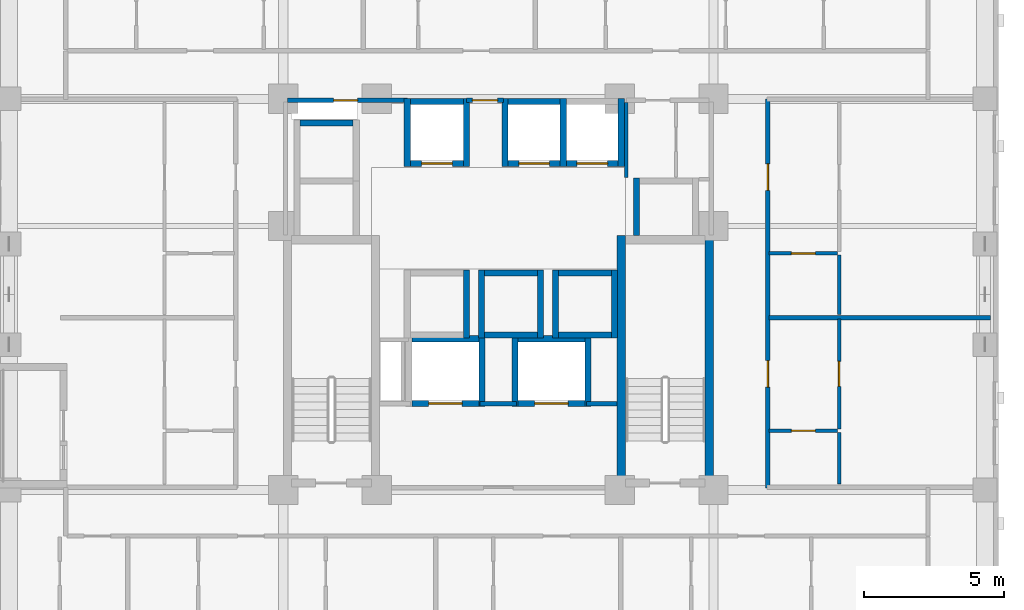
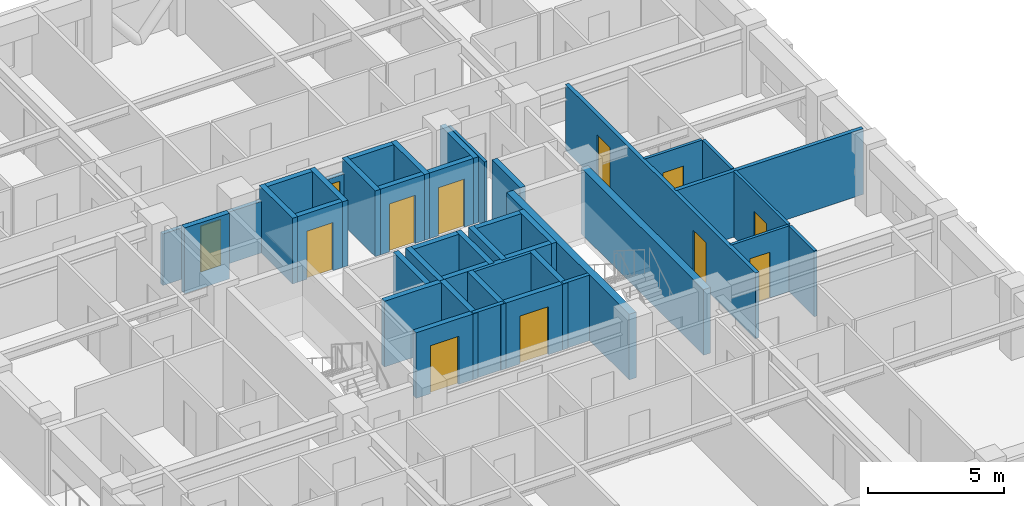
# One storey, part 5 of 12: 42 walls, 12 doors, 12 openings.
"""IFC4 building model written with IfcOpenShell, lengths in metres."""

from ifc_helpers import new_model, si_unit, derived_unit, direction, frame, frame_2d, origin, place, context, subcontext, project, spatial, rectangle, extrude, material, layer, layer_set, type_object, element, fill, save


model = new_model("IFC4")

# Units and contexts
model_context = context("Model", 3, precision=1e-05, world=origin(), true_north=direction((0.0, 1.0)))
body_context = subcontext(model_context, "Body", "Model", "MODEL_VIEW")
ifc_project = project(units=[si_unit("LENGTHUNIT", "METRE"), si_unit("AREAUNIT", "SQUARE_METRE"), si_unit("VOLUMEUNIT", "CUBIC_METRE"), si_unit("PLANEANGLEUNIT", "RADIAN"), si_unit("MASSUNIT", "GRAM", prefix="KILO"), derived_unit("THERMALTRANSMITTANCEUNIT", [(si_unit("MASSUNIT", "GRAM", prefix="KILO"), 1), (si_unit("TIMEUNIT", "SECOND"), -3), (si_unit("THERMODYNAMICTEMPERATUREUNIT", "KELVIN"), -1)])], contexts=[model_context])

# Site, building, storey
site_placement = place(None, origin())
site = spatial("IfcSite", under=ifc_project, at=site_placement, CompositionType="ELEMENT")
building_placement = place(site_placement, origin())
building = spatial("IfcBuilding", under=site, at=building_placement, Name="Korrvale Station Residences", CompositionType="ELEMENT")
storey_placement = place(building_placement, frame((0.0, 0.0, 91.10009765625)))
storey = spatial("IfcBuildingStorey", under=building, at=storey_placement, Name="L25", CompositionType="ELEMENT", Elevation=91.10009765625)

# Walls
ifc_material_1 = material(Name="Concrete C60/75", Category="concrete")
ifc_layer_1 = layer(ifc_material_1, 0.300048828125, Name="Concrete C60/75")
ifc_layer_set_1 = layer_set([ifc_layer_1], Name="Concrete C60/75")
wall_type_1 = type_object("IfcWallType", Name="WAL-CORE-300-C60", PredefinedType="SHEAR", material=ifc_layer_set_1)
for number, where, z_axis, x_axis, name in (
    (1, (29.89990234375, 15.10009765625, 0.0), (0.0, 0.0, 1.0), (0.0, 1.0, 0.0), "L25 ST-2 Core Shear Wall West"),
    (2, (33.050048828125, 15.10009765625, 0.0), (0.0, 0.0, 1.0), (0.0, 1.0, 0.0), "L25 ST-2 Core Shear Wall East"),
):
    element("IfcWall", number, at=place(storey_placement, frame(where, z_axis=z_axis, x_axis=x_axis)), inside=storey, type_object=wall_type_1, Name=name, PredefinedType="SHEAR", context=body_context, shape_type="SweptSolid", body=[
        extrude(rectangle(XDim=9.0, YDim=0.300048828125, at=frame_2d((4.5, 0.0))), origin(), (0.0, 0.0, 1.0), 2.93994140625),
    ])
ifc_material_2 = material(Name="Acoustic steel-stud gypsum board partition", Category="steel")
ifc_layer_2 = layer(ifc_material_2, 0.1201171875, Name="Acoustic steel-stud gypsum board partition")
ifc_layer_set_2 = layer_set([ifc_layer_2], Name="Acoustic steel-stud gypsum board partition")
wall_type_2 = type_object("IfcWallType", Name="WAL-PART-125", PredefinedType="PARTITIONING", material=ifc_layer_set_2)
wall_1_placement = place(storey_placement, frame((30.080078125, 26.179931640625, 0.0), z_axis=(0.0, 0.0, 1.0), x_axis=(0.0, 1.0, 0.0)))
element("IfcWall", 3, at=wall_1_placement, inside=storey, type_object=wall_type_2, Name="L25 Core Partition CW-CS-W", PredefinedType="PARTITIONING", context=body_context, shape_type="SweptSolid", body=[
    extrude(rectangle(XDim=2.68017578125, YDim=0.1201171875, at=frame_2d((1.340087890625, 0.0))), origin(), (0.0, 0.0, 1.0), 2.93994140625),
])

# Wall, opening, door
wall_2_placement = place(storey_placement, frame((35.18994140625, 17.1201171875, 0.0), z_axis=(0.0, 0.0, 1.0), x_axis=(1.0, 0.0, 0.0)))
wall_2 = element("IfcWall", 4, at=wall_2_placement, inside=storey, type_object=wall_type_2, Name="L25 Suite Partition U10-H01", PredefinedType="PARTITIONING", context=body_context, shape_type="SweptSolid", body=[
    extrude(rectangle(XDim=2.449951171875, YDim=0.1201171875, at=frame_2d((1.22509765625, 0.0))), origin(), (0.0, 0.0, 1.0), 2.93994140625),
])
opening_1_placement = place(wall_2_placement, frame((0.794921875, 0.0, 0.0)))
opening_1 = element("IfcOpeningElement", 5, at=opening_1_placement, cuts=wall_2, Name="Opening DB-860", PredefinedType="OPENING", context=body_context, shape_type="SweptSolid", body=[
    extrude(rectangle(XDim=0.860107421875, YDim=2.050048828125, at=frame_2d((0.43017578125, 1.02490234375))), frame((0.0, 0.070068359375, 0.0), z_axis=(0.0, -1.0, 0.0), x_axis=(1.0, 0.0, 0.0)), (0.0, 0.0, 1.0), 0.14013671875),
])
ifc_material_3 = material(Name="Moisture-resistant solid-core bathroom door", Category="timber")
door_type_1 = type_object("IfcDoorType", Name="DR-BATH-860", OperationType="NOTDEFINED", PredefinedType="DOOR", material=ifc_material_3)
door_1_placement = place(opening_1_placement, origin())
door_1 = element("IfcDoor", 6, at=door_1_placement, inside=storey, type_object=door_type_1, Name="L25 Apartment 1BR L25-U10 Bathroom Door", OperationType="SINGLE_SWING_LEFT", OverallHeight=2.050048828125, OverallWidth=0.860107421875, PredefinedType="DOOR", context=body_context, shape_type="SweptSolid", body=[
    extrude(rectangle(XDim=0.860107421875, YDim=2.050048828125, at=frame_2d((0.43017578125, 1.02490234375))), frame((0.0, 0.02490234375, 0.0), z_axis=(0.0, -1.0, 0.0), x_axis=(1.0, 0.0, 0.0)), (0.0, 0.0, 1.0), 0.050048828125),
])
fill(opening_1, door_1)

# Wall
wall_3_placement = place(storey_placement, frame((37.699951171875, 15.2099609375, 0.0), z_axis=(0.0, 0.0, 1.0), x_axis=(0.0, 1.0, 0.0)))
element("IfcWall", 7, at=wall_3_placement, inside=storey, type_object=wall_type_2, Name="L25 Suite Partition U10-V02", PredefinedType="PARTITIONING", context=body_context, shape_type="SweptSolid", body=[
    extrude(rectangle(XDim=1.85009765625, YDim=0.1201171875, at=frame_2d((0.925048828125, 0.0))), origin(), (0.0, 0.0, 1.0), 2.93994140625),
])

# Wall, opening, door
wall_4_placement = place(storey_placement, frame((37.699951171875, 17.179931640625, 0.0), z_axis=(0.0, 0.0, 1.0), x_axis=(0.0, 1.0, 0.0)))
wall_4 = element("IfcWall", 8, at=wall_4_placement, inside=storey, type_object=wall_type_2, Name="L25 Suite Partition U10-V12", PredefinedType="PARTITIONING", context=body_context, shape_type="SweptSolid", body=[
    extrude(rectangle(XDim=3.946044921875, YDim=0.1201171875, at=frame_2d((1.97314453125, 0.0))), origin(), (0.0, 0.0, 1.0), 2.93994140625),
])
opening_2_placement = place(wall_4_placement, frame((1.52294921875, 0.0, 0.0)))
opening_2 = element("IfcOpeningElement", 9, at=opening_2_placement, cuts=wall_4, Name="Opening DI-900", PredefinedType="OPENING", context=body_context, shape_type="SweptSolid", body=[
    extrude(rectangle(XDim=0.89990234375, YDim=2.050048828125, at=frame_2d((0.449951171875, 1.02490234375))), frame((0.0, 0.070068359375, 0.0), z_axis=(0.0, -1.0, 0.0), x_axis=(1.0, 0.0, 0.0)), (0.0, 0.0, 1.0), 0.14013671875),
])
ifc_material_4 = material(Name="Painted solid-core timber interior room door", Category="wood")
door_type_2 = type_object("IfcDoorType", Name="DR-INT-900", OperationType="NOTDEFINED", PredefinedType="DOOR", material=ifc_material_4)
door_2_placement = place(opening_2_placement, origin())
door_2 = element("IfcDoor", 10, at=door_2_placement, inside=storey, type_object=door_type_2, Name="L25 Apartment 1BR L25-U10 Kitchen Door", OperationType="SINGLE_SWING_RIGHT", OverallHeight=2.050048828125, OverallWidth=0.89990234375, PredefinedType="DOOR", context=body_context, shape_type="SweptSolid", body=[
    extrude(rectangle(XDim=0.89990234375, YDim=2.050048828125, at=frame_2d((0.449951171875, 1.02490234375))), frame((0.0, 0.02490234375, 0.0), z_axis=(0.0, -1.0, 0.0), x_axis=(1.0, 0.0, 0.0)), (0.0, 0.0, 1.0), 0.050048828125),
])
fill(opening_2, door_2)

wall_5_placement = place(storey_placement, frame((35.18994140625, 23.467041015625, 0.0), z_axis=(0.0, 0.0, 1.0), x_axis=(1.0, 0.0, 0.0)))
wall_5 = element("IfcWall", 11, at=wall_5_placement, inside=storey, type_object=wall_type_2, Name="L25 Suite Partition U11-H01", PredefinedType="PARTITIONING", context=body_context, shape_type="SweptSolid", body=[
    extrude(rectangle(XDim=2.449951171875, YDim=0.1201171875, at=frame_2d((1.22509765625, 0.0))), origin(), (0.0, 0.0, 1.0), 2.93994140625),
])
opening_3_placement = place(wall_5_placement, frame((0.794921875, 0.0, 0.0)))
opening_3 = element("IfcOpeningElement", 12, at=opening_3_placement, cuts=wall_5, Name="Opening DB-860", PredefinedType="OPENING", context=body_context, shape_type="SweptSolid", body=[
    extrude(rectangle(XDim=0.860107421875, YDim=2.050048828125, at=frame_2d((0.43017578125, 1.02490234375))), frame((0.0, 0.070068359375, 0.0), z_axis=(0.0, -1.0, 0.0), x_axis=(1.0, 0.0, 0.0)), (0.0, 0.0, 1.0), 0.14013671875),
])
door_3_placement = place(opening_3_placement, origin())
door_3 = element("IfcDoor", 13, at=door_3_placement, inside=storey, type_object=door_type_1, Name="L25 Apartment 1BR L25-U11 Bathroom Door", OperationType="SINGLE_SWING_LEFT", OverallHeight=2.050048828125, OverallWidth=0.860107421875, PredefinedType="DOOR", context=body_context, shape_type="SweptSolid", body=[
    extrude(rectangle(XDim=0.860107421875, YDim=2.050048828125, at=frame_2d((0.43017578125, 1.02490234375))), frame((0.0, 0.02490234375, 0.0), z_axis=(0.0, -1.0, 0.0), x_axis=(1.0, 0.0, 0.0)), (0.0, 0.0, 1.0), 0.050048828125),
])
fill(opening_3, door_3)

# Walls
wall_6_placement = place(storey_placement, frame((37.699951171875, 21.285888671875, 0.0), z_axis=(0.0, 0.0, 1.0), x_axis=(0.0, 1.0, 0.0)))
element("IfcWall", 14, at=wall_6_placement, inside=storey, type_object=wall_type_2, Name="L25 Suite Partition U11-V02", PredefinedType="PARTITIONING", context=body_context, shape_type="SweptSolid", body=[
    extrude(rectangle(XDim=2.12109375, YDim=0.1201171875, at=frame_2d((1.060546875, 0.0))), origin(), (0.0, 0.0, 1.0), 2.93994140625),
])
ifc_material_5 = material(Name="Fire-rated twin-stud gypsum and mineral wool shaftwall assembly", Category="gypsum")
ifc_layer_3 = layer(ifc_material_5, 0.159912109375, Name="Fire-rated twin-stud gypsum and mineral wool shaftwall assembly")
ifc_layer_set_3 = layer_set([ifc_layer_3], Name="Fire-rated twin-stud gypsum and mineral wool shaftwall assembly")
wall_type_3 = type_object("IfcWallType", Name="WAL-PART-200", PredefinedType="PARTITIONING", material=ifc_layer_set_3)
wall_7_placement = place(storey_placement, frame((24.85009765625, 18.080078125, 0.0), z_axis=(0.0, 0.0, 1.0), x_axis=(1.0, 0.0, 0.0)))
element("IfcWall", 15, at=wall_7_placement, inside=storey, type_object=wall_type_3, Name="L25 Core Partition CW-FFL-N2", PredefinedType="PARTITIONING", context=body_context, shape_type="SweptSolid", body=[
    extrude(rectangle(XDim=1.2998046875, YDim=0.159912109375, at=frame_2d((0.64990234375, 0.0))), origin(), (0.0, 0.0, 1.0), 2.93994140625),
])
wall_8_placement = place(storey_placement, frame((28.64990234375, 18.080078125, 0.0), z_axis=(0.0, 0.0, 1.0), x_axis=(1.0, 0.0, 0.0)))
element("IfcWall", 16, at=wall_8_placement, inside=storey, type_object=wall_type_3, Name="L25 Core Partition CW-FFL-N3", PredefinedType="PARTITIONING", context=body_context, shape_type="SweptSolid", body=[
    extrude(rectangle(XDim=1.10009765625, YDim=0.159912109375, at=frame_2d((0.550048828125, 0.0))), origin(), (0.0, 0.0, 1.0), 2.93994140625),
])

# Wall, opening, door
wall_9_placement = place(storey_placement, frame((24.360107421875, 28.949951171875, 0.0), z_axis=(0.0, 0.0, 1.0), x_axis=(1.0, 0.0, 0.0)))
wall_9 = element("IfcWall", 17, at=wall_9_placement, inside=storey, type_object=wall_type_3, Name="L25 Core Partition CW-LLOB-N", PredefinedType="PARTITIONING", context=body_context, shape_type="SweptSolid", body=[
    extrude(rectangle(XDim=1.31982421875, YDim=0.159912109375, at=frame_2d((0.659912109375, 0.0))), origin(), (0.0, 0.0, 1.0), 2.308837890625),
])
opening_4_placement = place(wall_9_placement, frame((0.2099609375, 0.0, 0.0)))
opening_4 = element("IfcOpeningElement", 18, at=opening_4_placement, cuts=wall_9, Name="Opening DI-900", PredefinedType="OPENING", context=body_context, shape_type="SweptSolid", body=[
    extrude(rectangle(XDim=0.89990234375, YDim=2.050048828125, at=frame_2d((0.449951171875, 1.02490234375))), frame((0.0, 0.08984375, 0.0), z_axis=(0.0, -1.0, 0.0), x_axis=(1.0, 0.0, 0.0)), (0.0, 0.0, 1.0), 0.179931640625),
])
door_4_placement = place(opening_4_placement, origin())
door_4 = element("IfcDoor", 19, at=door_4_placement, inside=storey, type_object=door_type_2, Name="L25 Central Hallway North Passage Door", OperationType="SINGLE_SWING_RIGHT", OverallHeight=2.050048828125, OverallWidth=0.89990234375, PredefinedType="DOOR", context=body_context, shape_type="SweptSolid", body=[
    extrude(rectangle(XDim=0.89990234375, YDim=2.050048828125, at=frame_2d((0.449951171875, 1.02490234375))), frame((0.0, 0.02490234375, 0.0), z_axis=(0.0, -1.0, 0.0), x_axis=(1.0, 0.0, 0.0)), (0.0, 0.0, 1.0), 0.050048828125),
])
fill(opening_4, door_4)

wall_10_placement = place(storey_placement, frame((17.9599609375, 28.949951171875, 0.0), z_axis=(0.0, 0.0, 1.0), x_axis=(1.0, 0.0, 0.0)))
wall_10 = element("IfcWall", 20, at=wall_10_placement, inside=storey, type_object=wall_type_3, Name="L25 Core Partition CW-NW", PredefinedType="PARTITIONING", context=body_context, shape_type="SweptSolid", body=[
    extrude(rectangle(XDim=4.2900390625, YDim=0.159912109375, at=frame_2d((2.14501953125, 0.0))), origin(), (0.0, 0.0, 1.0), 2.308837890625),
])
opening_5_placement = place(wall_10_placement, frame((1.64501953125, 0.0, 0.0)))
opening_5 = element("IfcOpeningElement", 21, at=opening_5_placement, cuts=wall_10, Name="Opening DB-860", PredefinedType="OPENING", context=body_context, shape_type="SweptSolid", body=[
    extrude(rectangle(XDim=0.860107421875, YDim=2.050048828125, at=frame_2d((0.43017578125, 1.02490234375))), frame((0.0, 0.08984375, 0.0), z_axis=(0.0, -1.0, 0.0), x_axis=(1.0, 0.0, 0.0)), (0.0, 0.0, 1.0), 0.179931640625),
])
door_5_placement = place(opening_5_placement, origin())
door_5 = element("IfcDoor", 22, at=door_5_placement, inside=storey, type_object=door_type_1, Name="L25 Electrical Riser Access Door", OperationType="SINGLE_SWING_LEFT", OverallHeight=2.050048828125, OverallWidth=0.860107421875, PredefinedType="DOOR", context=body_context, shape_type="SweptSolid", body=[
    extrude(rectangle(XDim=0.860107421875, YDim=2.050048828125, at=frame_2d((0.43017578125, 1.02490234375))), frame((0.0, 0.02490234375, 0.0), z_axis=(0.0, -1.0, 0.0), x_axis=(1.0, 0.0, 0.0)), (0.0, 0.0, 1.0), 0.050048828125),
])
fill(opening_5, door_5)

# Wall
wall_11_placement = place(storey_placement, frame((35.18994140625, 21.166015625, 0.0), z_axis=(0.0, 0.0, 1.0), x_axis=(1.0, 0.0, 0.0)))
element("IfcWall", 23, at=wall_11_placement, inside=storey, type_object=wall_type_3, Name="L25 Demising Wall U10-N", PredefinedType="PARTITIONING", context=body_context, shape_type="SweptSolid", body=[
    extrude(rectangle(XDim=7.93017578125, YDim=0.159912109375, at=frame_2d((3.965087890625, 0.0))), origin(), (0.0, 0.0, 1.0), 2.93994140625),
])

# Wall, openings, doors
wall_12_placement = place(storey_placement, frame((35.14990234375, 15.070068359375, 0.0), z_axis=(0.0, 0.0, 1.0), x_axis=(0.0, 1.0, 0.0)))
wall_12 = element("IfcWall", 24, at=wall_12_placement, inside=storey, type_object=wall_type_3, Name="L25 Rated Corridor Wall E", PredefinedType="PARTITIONING", context=body_context, shape_type="SweptSolid", body=[
    extrude(rectangle(XDim=13.929931640625, YDim=0.159912109375, at=frame_2d((6.96484375, 0.0))), origin(), (0.0, 0.0, 1.0), 2.93994140625),
])
opening_6_placement = place(wall_12_placement, frame((3.60791015625, 0.0, 0.0)))
opening_6 = element("IfcOpeningElement", 25, at=opening_6_placement, cuts=wall_12, Name="Opening UD-950", PredefinedType="OPENING", context=body_context, shape_type="SweptSolid", body=[
    extrude(rectangle(XDim=0.949951171875, YDim=2.10009765625, at=frame_2d((0.47509765625, 1.050048828125))), frame((0.0, 0.08984375, 0.0), z_axis=(0.0, -1.0, 0.0), x_axis=(1.0, 0.0, 0.0)), (0.0, 0.0, 1.0), 0.179931640625),
])
opening_7_placement = place(wall_12_placement, frame((10.64892578125, 0.0, 0.0)))
opening_7 = element("IfcOpeningElement", 26, at=opening_7_placement, cuts=wall_12, Name="Opening UD-950", PredefinedType="OPENING", context=body_context, shape_type="SweptSolid", body=[
    extrude(rectangle(XDim=0.949951171875, YDim=2.10009765625, at=frame_2d((0.47509765625, 1.050048828125))), frame((0.0, 0.08984375, 0.0), z_axis=(0.0, -1.0, 0.0), x_axis=(1.0, 0.0, 0.0)), (0.0, 0.0, 1.0), 0.179931640625),
])
ifc_material_6 = material(Name="Solid-core acoustic oak apartment entrance door", Category="timber")
door_type_3 = type_object("IfcDoorType", Name="DR-UNIT-950", OperationType="NOTDEFINED", PredefinedType="DOOR", material=ifc_material_6)
door_6_placement = place(opening_6_placement, origin())
door_6 = element("IfcDoor", 27, at=door_6_placement, inside=storey, type_object=door_type_3, Name="L25 Apartment L25-U10 Entrance Door", OperationType="SINGLE_SWING_RIGHT", OverallHeight=2.10009765625, OverallWidth=0.949951171875, PredefinedType="DOOR", context=body_context, shape_type="SweptSolid", body=[
    extrude(rectangle(XDim=0.949951171875, YDim=2.10009765625, at=frame_2d((0.47509765625, 1.050048828125))), frame((0.0, 0.02490234375, 0.0), z_axis=(0.0, -1.0, 0.0), x_axis=(1.0, 0.0, 0.0)), (0.0, 0.0, 1.0), 0.050048828125),
])
fill(opening_6, door_6)
door_7_placement = place(opening_7_placement, origin())
door_7 = element("IfcDoor", 28, at=door_7_placement, inside=storey, type_object=door_type_3, Name="L25 Apartment L25-U11 Entrance Door", OperationType="SINGLE_SWING_LEFT", OverallHeight=2.10009765625, OverallWidth=0.949951171875, PredefinedType="DOOR", context=body_context, shape_type="SweptSolid", body=[
    extrude(rectangle(XDim=0.949951171875, YDim=2.10009765625, at=frame_2d((0.47509765625, 1.050048828125))), frame((0.0, 0.02490234375, 0.0), z_axis=(0.0, -1.0, 0.0), x_axis=(1.0, 0.0, 0.0)), (0.0, 0.0, 1.0), 0.050048828125),
])
fill(opening_7, door_7)

# Wall, opening, door
ifc_layer_4 = layer(ifc_material_1, 0.219970703125, Name="Concrete C60/75")
ifc_layer_set_4 = layer_set([ifc_layer_4], Name="Concrete C60/75")
wall_type_4 = type_object("IfcWallType", Name="WAL-SHAFT-220-C60", PredefinedType="SHEAR", material=ifc_layer_set_4)
wall_13_placement = place(storey_placement, frame((22.35009765625, 26.68994140625, 0.0), z_axis=(0.0, 0.0, 1.0), x_axis=(1.0, 0.0, 0.0)))
wall_13 = element("IfcWall", 29, at=wall_13_placement, inside=storey, type_object=wall_type_4, Name="L25 Elevator PL-1 Hoistway Wall South", PredefinedType="SHEAR", context=body_context, shape_type="SweptSolid", body=[
    extrude(rectangle(XDim=1.89990234375, YDim=0.219970703125, at=frame_2d((0.949951171875, 0.0))), origin(), (0.0, 0.0, 1.0), 2.93994140625),
])
opening_8_placement = place(wall_13_placement, frame((0.39990234375, 0.0, 0.0)))
opening_8 = element("IfcOpeningElement", 30, at=opening_8_placement, cuts=wall_13, Name="Opening LD-1100", PredefinedType="OPENING", context=body_context, shape_type="SweptSolid", body=[
    extrude(rectangle(XDim=1.10009765625, YDim=2.14990234375, at=frame_2d((0.550048828125, 1.074951171875))), frame((0.0, 0.1201171875, 0.0), z_axis=(0.0, -1.0, 0.0), x_axis=(1.0, 0.0, 0.0)), (0.0, 0.0, 1.0), 0.239990234375),
])
ifc_material_7 = material(Name="Brushed stainless-steel elevator landing sliding door", Category="steel")
door_type_4 = type_object("IfcDoorType", Name="DR-LIFT-1100", OperationType="SLIDING_TO_LEFT", PredefinedType="DOOR", material=ifc_material_7)
door_8_placement = place(opening_8_placement, origin())
door_8 = element("IfcDoor", 31, at=door_8_placement, inside=storey, type_object=door_type_4, Name="L25 Elevator PL-1 Sliding Landing Door", OperationType="SLIDING_TO_LEFT", OverallHeight=2.14990234375, OverallWidth=1.10009765625, PredefinedType="DOOR", context=body_context, shape_type="SweptSolid", body=[
    extrude(rectangle(XDim=1.10009765625, YDim=2.14990234375, at=frame_2d((0.550048828125, 1.074951171875))), frame((0.0, 0.02490234375, 0.0), z_axis=(0.0, -1.0, 0.0), x_axis=(1.0, 0.0, 0.0)), (0.0, 0.0, 1.0), 0.050048828125),
])
fill(opening_8, door_8)

# Walls
wall_14_placement = place(storey_placement, frame((22.35009765625, 28.909912109375, 0.0), z_axis=(0.0, 0.0, 1.0), x_axis=(1.0, 0.0, 0.0)))
element("IfcWall", 32, at=wall_14_placement, inside=storey, type_object=wall_type_4, Name="L25 Elevator PL-1 Hoistway Wall North", PredefinedType="SHEAR", context=body_context, shape_type="SweptSolid", body=[
    extrude(rectangle(XDim=1.89990234375, YDim=0.219970703125, at=frame_2d((0.949951171875, 0.0))), origin(), (0.0, 0.0, 1.0), 2.93994140625),
])
for number, where, z_axis, x_axis, name in (
    (33, (22.239990234375, 26.580078125, 0.0), (0.0, 0.0, 1.0), (0.0, 1.0, 0.0), "L25 Elevator PL-1 Hoistway Wall West"),
    (34, (24.360107421875, 26.580078125, 0.0), (0.0, 0.0, 1.0), (0.0, 1.0, 0.0), "L25 Elevator PL-1 Hoistway Wall East"),
):
    element("IfcWall", number, at=place(storey_placement, frame(where, z_axis=z_axis, x_axis=x_axis)), inside=storey, type_object=wall_type_4, Name=name, PredefinedType="SHEAR", context=body_context, shape_type="SweptSolid", body=[
        extrude(rectangle(XDim=2.43994140625, YDim=0.219970703125, at=frame_2d((1.219970703125, 0.0))), origin(), (0.0, 0.0, 1.0), 2.93994140625),
    ])

# Wall, opening, door
wall_15_placement = place(storey_placement, frame((25.85009765625, 26.68994140625, 0.0), z_axis=(0.0, 0.0, 1.0), x_axis=(1.0, 0.0, 0.0)))
wall_15 = element("IfcWall", 35, at=wall_15_placement, inside=storey, type_object=wall_type_4, Name="L25 Elevator PL-2 Hoistway Wall South", PredefinedType="SHEAR", context=body_context, shape_type="SweptSolid", body=[
    extrude(rectangle(XDim=1.85986328125, YDim=0.219970703125, at=frame_2d((0.929931640625, 0.0))), origin(), (0.0, 0.0, 1.0), 2.93994140625),
])
opening_9_placement = place(wall_15_placement, frame((0.3798828125, 0.0, 0.0)))
opening_9 = element("IfcOpeningElement", 36, at=opening_9_placement, cuts=wall_15, Name="Opening LD-1100", PredefinedType="OPENING", context=body_context, shape_type="SweptSolid", body=[
    extrude(rectangle(XDim=1.10009765625, YDim=2.14990234375, at=frame_2d((0.550048828125, 1.074951171875))), frame((0.0, 0.1201171875, 0.0), z_axis=(0.0, -1.0, 0.0), x_axis=(1.0, 0.0, 0.0)), (0.0, 0.0, 1.0), 0.239990234375),
])
door_9_placement = place(opening_9_placement, origin())
door_9 = element("IfcDoor", 37, at=door_9_placement, inside=storey, type_object=door_type_4, Name="L25 Elevator PL-2 Sliding Landing Door", OperationType="SLIDING_TO_LEFT", OverallHeight=2.14990234375, OverallWidth=1.10009765625, PredefinedType="DOOR", context=body_context, shape_type="SweptSolid", body=[
    extrude(rectangle(XDim=1.10009765625, YDim=2.14990234375, at=frame_2d((0.550048828125, 1.074951171875))), frame((0.0, 0.02490234375, 0.0), z_axis=(0.0, -1.0, 0.0), x_axis=(1.0, 0.0, 0.0)), (0.0, 0.0, 1.0), 0.050048828125),
])
fill(opening_9, door_9)

# Walls
wall_16_placement = place(storey_placement, frame((25.85009765625, 28.909912109375, 0.0), z_axis=(0.0, 0.0, 1.0), x_axis=(1.0, 0.0, 0.0)))
element("IfcWall", 38, at=wall_16_placement, inside=storey, type_object=wall_type_4, Name="L25 Elevator PL-2 Hoistway Wall North", PredefinedType="SHEAR", context=body_context, shape_type="SweptSolid", body=[
    extrude(rectangle(XDim=1.85986328125, YDim=0.219970703125, at=frame_2d((0.929931640625, 0.0))), origin(), (0.0, 0.0, 1.0), 2.93994140625),
])
for number, where, z_axis, x_axis, name in (
    (39, (25.739990234375, 26.580078125, 0.0), (0.0, 0.0, 1.0), (0.0, 1.0, 0.0), "L25 Elevator PL-2 Hoistway Wall West"),
    (40, (27.820068359375, 26.580078125, 0.0), (0.0, 0.0, 1.0), (0.0, 1.0, 0.0), "L25 Elevator PL-2 Hoistway Wall East"),
):
    element("IfcWall", number, at=place(storey_placement, frame(where, z_axis=z_axis, x_axis=x_axis)), inside=storey, type_object=wall_type_4, Name=name, PredefinedType="SHEAR", context=body_context, shape_type="SweptSolid", body=[
        extrude(rectangle(XDim=2.43994140625, YDim=0.219970703125, at=frame_2d((1.219970703125, 0.0))), origin(), (0.0, 0.0, 1.0), 2.93994140625),
    ])

# Wall, opening, door
wall_17_placement = place(storey_placement, frame((27.929931640625, 26.68994140625, 0.0), z_axis=(0.0, 0.0, 1.0), x_axis=(1.0, 0.0, 0.0)))
wall_17 = element("IfcWall", 41, at=wall_17_placement, inside=storey, type_object=wall_type_4, Name="L25 Elevator PL-3 Hoistway Wall South", PredefinedType="SHEAR", context=body_context, shape_type="SweptSolid", body=[
    extrude(rectangle(XDim=1.860107421875, YDim=0.219970703125, at=frame_2d((0.93017578125, 0.0))), origin(), (0.0, 0.0, 1.0), 2.93994140625),
])
opening_10_placement = place(wall_17_placement, frame((0.3798828125, 0.0, 0.0)))
opening_10 = element("IfcOpeningElement", 42, at=opening_10_placement, cuts=wall_17, Name="Opening LD-1100", PredefinedType="OPENING", context=body_context, shape_type="SweptSolid", body=[
    extrude(rectangle(XDim=1.10009765625, YDim=2.14990234375, at=frame_2d((0.550048828125, 1.074951171875))), frame((0.0, 0.1201171875, 0.0), z_axis=(0.0, -1.0, 0.0), x_axis=(1.0, 0.0, 0.0)), (0.0, 0.0, 1.0), 0.239990234375),
])
door_10_placement = place(opening_10_placement, origin())
door_10 = element("IfcDoor", 43, at=door_10_placement, inside=storey, type_object=door_type_4, Name="L25 Elevator PL-3 Sliding Landing Door", OperationType="SLIDING_TO_LEFT", OverallHeight=2.14990234375, OverallWidth=1.10009765625, PredefinedType="DOOR", context=body_context, shape_type="SweptSolid", body=[
    extrude(rectangle(XDim=1.10009765625, YDim=2.14990234375, at=frame_2d((0.550048828125, 1.074951171875))), frame((0.0, 0.02490234375, 0.0), z_axis=(0.0, -1.0, 0.0), x_axis=(1.0, 0.0, 0.0)), (0.0, 0.0, 1.0), 0.050048828125),
])
fill(opening_10, door_10)

# Walls
wall_18_placement = place(storey_placement, frame((29.89990234375, 26.580078125, 0.0), z_axis=(0.0, 0.0, 1.0), x_axis=(0.0, 1.0, 0.0)))
element("IfcWall", 44, at=wall_18_placement, inside=storey, type_object=wall_type_4, Name="L25 Elevator PL-3 Hoistway Wall East", PredefinedType="SHEAR", context=body_context, shape_type="SweptSolid", body=[
    extrude(rectangle(XDim=2.43994140625, YDim=0.219970703125, at=frame_2d((1.219970703125, 0.0))), origin(), (0.0, 0.0, 1.0), 2.93994140625),
])
wall_19_placement = place(storey_placement, frame((24.360107421875, 20.429931640625, 0.0), z_axis=(0.0, 0.0, 1.0), x_axis=(0.0, 1.0, 0.0)))
element("IfcWall", 45, at=wall_19_placement, inside=storey, type_object=wall_type_4, Name="L25 Elevator PM-1 Hoistway Wall East", PredefinedType="SHEAR", context=body_context, shape_type="SweptSolid", body=[
    extrude(rectangle(XDim=2.440185546875, YDim=0.219970703125, at=frame_2d((1.22021484375, 0.0))), origin(), (0.0, 0.0, 1.0), 2.93994140625),
])
for number, where, z_axis, x_axis, name in (
    (46, (25.0, 20.5400390625, 0.0), (0.0, 0.0, 1.0), (1.0, 0.0, 0.0), "L25 Elevator PM-2 Hoistway Wall South"),
    (47, (25.0, 22.760009765625, 0.0), (0.0, 0.0, 1.0), (1.0, 0.0, 0.0), "L25 Elevator PM-2 Hoistway Wall North"),
):
    element("IfcWall", number, at=place(storey_placement, frame(where, z_axis=z_axis, x_axis=x_axis)), inside=storey, type_object=wall_type_4, Name=name, PredefinedType="SHEAR", context=body_context, shape_type="SweptSolid", body=[
        extrude(rectangle(XDim=1.89990234375, YDim=0.219970703125, at=frame_2d((0.949951171875, 0.0))), origin(), (0.0, 0.0, 1.0), 2.93994140625),
    ])
for number, where, z_axis, x_axis, name in (
    (48, (24.889892578125, 20.429931640625, 0.0), (0.0, 0.0, 1.0), (0.0, 1.0, 0.0), "L25 Elevator PM-2 Hoistway Wall West"),
    (49, (27.010009765625, 20.429931640625, 0.0), (0.0, 0.0, 1.0), (0.0, 1.0, 0.0), "L25 Elevator PM-2 Hoistway Wall East"),
):
    element("IfcWall", number, at=place(storey_placement, frame(where, z_axis=z_axis, x_axis=x_axis)), inside=storey, type_object=wall_type_4, Name=name, PredefinedType="SHEAR", context=body_context, shape_type="SweptSolid", body=[
        extrude(rectangle(XDim=2.440185546875, YDim=0.219970703125, at=frame_2d((1.22021484375, 0.0))), origin(), (0.0, 0.0, 1.0), 2.93994140625),
    ])
for number, where, z_axis, x_axis, name in (
    (50, (27.64990234375, 20.5400390625, 0.0), (0.0, 0.0, 1.0), (1.0, 0.0, 0.0), "L25 Elevator PM-3 Hoistway Wall South"),
    (51, (27.64990234375, 22.760009765625, 0.0), (0.0, 0.0, 1.0), (1.0, 0.0, 0.0), "L25 Elevator PM-3 Hoistway Wall North"),
):
    element("IfcWall", number, at=place(storey_placement, frame(where, z_axis=z_axis, x_axis=x_axis)), inside=storey, type_object=wall_type_4, Name=name, PredefinedType="SHEAR", context=body_context, shape_type="SweptSolid", body=[
        extrude(rectangle(XDim=1.900146484375, YDim=0.219970703125, at=frame_2d((0.9501953125, 0.0))), origin(), (0.0, 0.0, 1.0), 2.93994140625),
    ])
for number, where, z_axis, x_axis, name in (
    (52, (27.5400390625, 20.429931640625, 0.0), (0.0, 0.0, 1.0), (0.0, 1.0, 0.0), "L25 Elevator PM-3 Hoistway Wall West"),
    (53, (29.659912109375, 20.429931640625, 0.0), (0.0, 0.0, 1.0), (0.0, 1.0, 0.0), "L25 Elevator PM-3 Hoistway Wall East"),
):
    element("IfcWall", number, at=place(storey_placement, frame(where, z_axis=z_axis, x_axis=x_axis)), inside=storey, type_object=wall_type_4, Name=name, PredefinedType="SHEAR", context=body_context, shape_type="SweptSolid", body=[
        extrude(rectangle(XDim=2.440185546875, YDim=0.219970703125, at=frame_2d((1.22021484375, 0.0))), origin(), (0.0, 0.0, 1.0), 2.93994140625),
    ])
wall_20_placement = place(storey_placement, frame((18.39990234375, 28.1298828125, 0.0), z_axis=(0.0, 0.0, 1.0), x_axis=(1.0, 0.0, 0.0)))
element("IfcWall", 54, at=wall_20_placement, inside=storey, type_object=wall_type_4, Name="L25 Elevator PH-2 Hoistway Wall North", PredefinedType="SHEAR", context=body_context, shape_type="SweptSolid", body=[
    extrude(rectangle(XDim=1.900146484375, YDim=0.219970703125, at=frame_2d((0.9501953125, 0.0))), origin(), (0.0, 0.0, 1.0), 2.93994140625),
])
wall_21_placement = place(storey_placement, frame((30.43994140625, 24.10009765625, 0.0), z_axis=(0.0, 0.0, 1.0), x_axis=(0.0, 1.0, 0.0)))
element("IfcWall", 55, at=wall_21_placement, inside=storey, type_object=wall_type_4, Name="L25 Elevator PH-3 Hoistway Wall West", PredefinedType="SHEAR", context=body_context, shape_type="SweptSolid", body=[
    extrude(rectangle(XDim=2.06982421875, YDim=0.219970703125, at=frame_2d((1.034912109375, 0.0))), origin(), (0.0, 0.0, 1.0), 2.93994140625),
])

# Wall, opening, door
wall_22_placement = place(storey_placement, frame((22.39990234375, 18.090087890625, 0.0), z_axis=(0.0, 0.0, 1.0), x_axis=(1.0, 0.0, 0.0)))
wall_22 = element("IfcWall", 56, at=wall_22_placement, inside=storey, type_object=wall_type_4, Name="L25 Elevator FFL-1 Hoistway Wall South", PredefinedType="SHEAR", context=body_context, shape_type="SweptSolid", body=[
    extrude(rectangle(XDim=2.400146484375, YDim=0.219970703125, at=frame_2d((1.2001953125, 0.0))), origin(), (0.0, 0.0, 1.0), 2.93994140625),
])
opening_11_placement = place(wall_22_placement, frame((0.60009765625, 0.0, 0.0)))
opening_11 = element("IfcOpeningElement", 57, at=opening_11_placement, cuts=wall_22, Name="Opening LD-FF1200", PredefinedType="OPENING", context=body_context, shape_type="SweptSolid", body=[
    extrude(rectangle(XDim=1.199951171875, YDim=2.14990234375, at=frame_2d((0.60009765625, 1.074951171875))), frame((0.0, 0.1201171875, 0.0), z_axis=(0.0, -1.0, 0.0), x_axis=(1.0, 0.0, 0.0)), (0.0, 0.0, 1.0), 0.239990234375),
])
ifc_material_8 = material(Name="Stainless-steel firefighter elevator landing sliding door", Category="steel")
door_type_5 = type_object("IfcDoorType", Name="DR-LIFT-FF1200", OperationType="SLIDING_TO_LEFT", PredefinedType="DOOR", material=ifc_material_8)
door_11_placement = place(opening_11_placement, origin())
door_11 = element("IfcDoor", 58, at=door_11_placement, inside=storey, type_object=door_type_5, Name="L25 Elevator FFL-1 Sliding Landing Door", OperationType="SLIDING_TO_LEFT", OverallHeight=2.14990234375, OverallWidth=1.199951171875, PredefinedType="DOOR", context=body_context, shape_type="SweptSolid", body=[
    extrude(rectangle(XDim=1.199951171875, YDim=2.14990234375, at=frame_2d((0.60009765625, 1.074951171875))), frame((0.0, 0.02490234375, 0.0), z_axis=(0.0, -1.0, 0.0), x_axis=(1.0, 0.0, 0.0)), (0.0, 0.0, 1.0), 0.050048828125),
])
fill(opening_11, door_11)

# Walls
wall_23_placement = place(storey_placement, frame((22.39990234375, 20.409912109375, 0.0), z_axis=(0.0, 0.0, 1.0), x_axis=(1.0, 0.0, 0.0)))
element("IfcWall", 59, at=wall_23_placement, inside=storey, type_object=wall_type_4, Name="L25 Elevator FFL-1 Hoistway Wall North", PredefinedType="SHEAR", context=body_context, shape_type="SweptSolid", body=[
    extrude(rectangle(XDim=2.400146484375, YDim=0.219970703125, at=frame_2d((1.2001953125, 0.0))), origin(), (0.0, 0.0, 1.0), 2.93994140625),
])
wall_24_placement = place(storey_placement, frame((24.909912109375, 17.97998046875, 0.0), z_axis=(0.0, 0.0, 1.0), x_axis=(0.0, 1.0, 0.0)))
element("IfcWall", 60, at=wall_24_placement, inside=storey, type_object=wall_type_4, Name="L25 Elevator FFL-1 Hoistway Wall East", PredefinedType="SHEAR", context=body_context, shape_type="SweptSolid", body=[
    extrude(rectangle(XDim=2.5400390625, YDim=0.219970703125, at=frame_2d((1.27001953125, 0.0))), origin(), (0.0, 0.0, 1.0), 2.93994140625),
])

# Wall, opening, door
wall_25_placement = place(storey_placement, frame((26.199951171875, 18.090087890625, 0.0), z_axis=(0.0, 0.0, 1.0), x_axis=(1.0, 0.0, 0.0)))
wall_25 = element("IfcWall", 61, at=wall_25_placement, inside=storey, type_object=wall_type_4, Name="L25 Elevator FFL-2 Hoistway Wall South", PredefinedType="SHEAR", context=body_context, shape_type="SweptSolid", body=[
    extrude(rectangle(XDim=2.400146484375, YDim=0.219970703125, at=frame_2d((1.2001953125, 0.0))), origin(), (0.0, 0.0, 1.0), 2.93994140625),
])
opening_12_placement = place(wall_25_placement, frame((0.60009765625, 0.0, 0.0)))
opening_12 = element("IfcOpeningElement", 62, at=opening_12_placement, cuts=wall_25, Name="Opening LD-FF1200", PredefinedType="OPENING", context=body_context, shape_type="SweptSolid", body=[
    extrude(rectangle(XDim=1.199951171875, YDim=2.14990234375, at=frame_2d((0.60009765625, 1.074951171875))), frame((0.0, 0.1201171875, 0.0), z_axis=(0.0, -1.0, 0.0), x_axis=(1.0, 0.0, 0.0)), (0.0, 0.0, 1.0), 0.239990234375),
])
door_12_placement = place(opening_12_placement, origin())
door_12 = element("IfcDoor", 63, at=door_12_placement, inside=storey, type_object=door_type_5, Name="L25 Elevator FFL-2 Sliding Landing Door", OperationType="SLIDING_TO_LEFT", OverallHeight=2.14990234375, OverallWidth=1.199951171875, PredefinedType="DOOR", context=body_context, shape_type="SweptSolid", body=[
    extrude(rectangle(XDim=1.199951171875, YDim=2.14990234375, at=frame_2d((0.60009765625, 1.074951171875))), frame((0.0, 0.02490234375, 0.0), z_axis=(0.0, -1.0, 0.0), x_axis=(1.0, 0.0, 0.0)), (0.0, 0.0, 1.0), 0.050048828125),
])
fill(opening_12, door_12)

# Walls
wall_26_placement = place(storey_placement, frame((26.199951171875, 20.409912109375, 0.0), z_axis=(0.0, 0.0, 1.0), x_axis=(1.0, 0.0, 0.0)))
element("IfcWall", 64, at=wall_26_placement, inside=storey, type_object=wall_type_4, Name="L25 Elevator FFL-2 Hoistway Wall North", PredefinedType="SHEAR", context=body_context, shape_type="SweptSolid", body=[
    extrude(rectangle(XDim=2.400146484375, YDim=0.219970703125, at=frame_2d((1.2001953125, 0.0))), origin(), (0.0, 0.0, 1.0), 2.93994140625),
])
for number, where, z_axis, x_axis, name in (
    (65, (26.090087890625, 17.97998046875, 0.0), (0.0, 0.0, 1.0), (0.0, 1.0, 0.0), "L25 Elevator FFL-2 Hoistway Wall West"),
    (66, (28.7099609375, 17.97998046875, 0.0), (0.0, 0.0, 1.0), (0.0, 1.0, 0.0), "L25 Elevator FFL-2 Hoistway Wall East"),
):
    element("IfcWall", number, at=place(storey_placement, frame(where, z_axis=z_axis, x_axis=x_axis)), inside=storey, type_object=wall_type_4, Name=name, PredefinedType="SHEAR", context=body_context, shape_type="SweptSolid", body=[
        extrude(rectangle(XDim=2.5400390625, YDim=0.219970703125, at=frame_2d((1.27001953125, 0.0))), origin(), (0.0, 0.0, 1.0), 2.93994140625),
    ])

save(model, "model.ifc")
